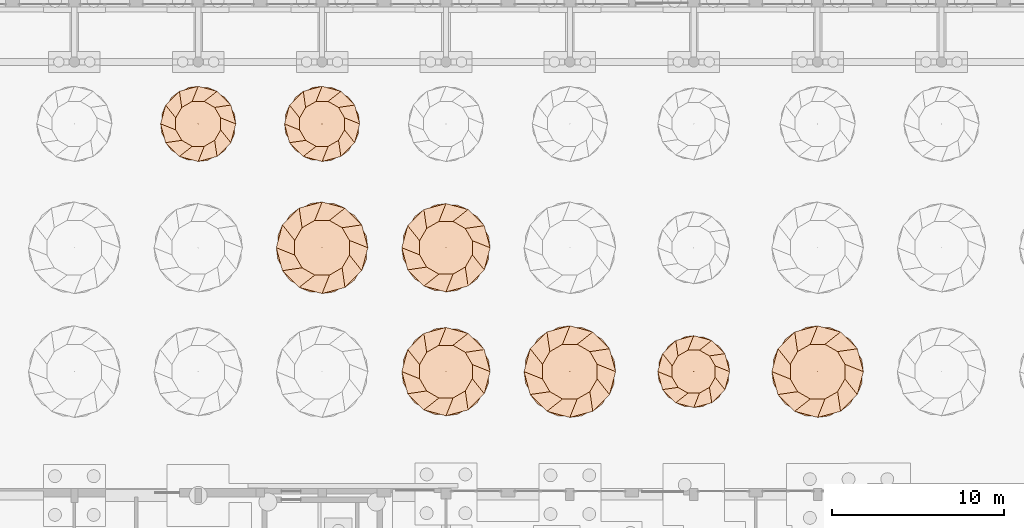
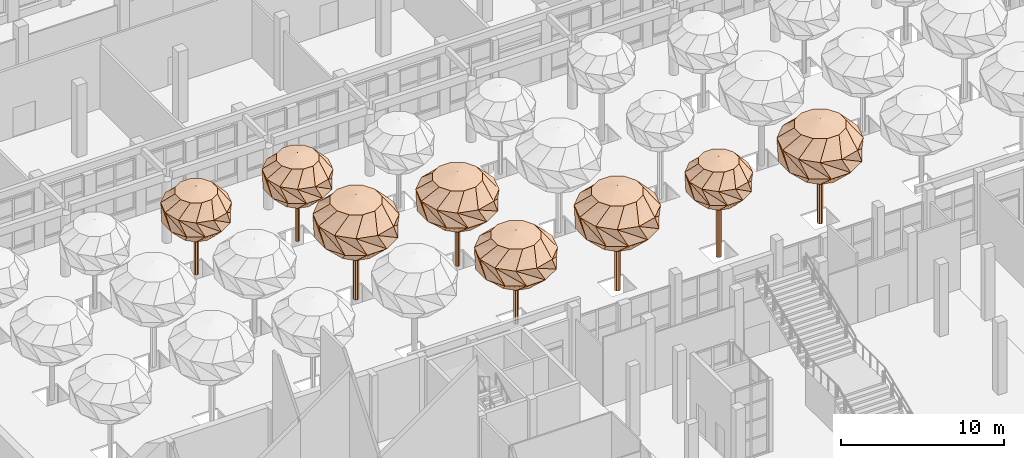
# One storey, part 77 of 80: 8 geographic elements.
"""IFC4 building model written with IfcOpenShell, lengths in metres."""

from ifc_helpers import new_model, si_unit, direction, frame, origin, place, context, subcontext, project, spatial, triangles, material, type_object, element, save


model = new_model("IFC4")

# Units and contexts
model_context = context("Model", 3, precision=1e-05, world=origin(), true_north=direction((0.0, 1.0)))
body_context = subcontext(model_context, "Body", "Model", "MODEL_VIEW")
ifc_project = project(units=[si_unit("LENGTHUNIT", "METRE"), si_unit("AREAUNIT", "SQUARE_METRE"), si_unit("VOLUMEUNIT", "CUBIC_METRE"), si_unit("PLANEANGLEUNIT", "RADIAN"), si_unit("MASSUNIT", "GRAM", prefix="KILO")], contexts=[model_context])

# Site, building, storey
site_placement = place(None, origin())
site = spatial("IfcSite", under=ifc_project, at=site_placement, CompositionType="ELEMENT")
building_placement = place(site_placement, origin())
building = spatial("IfcBuilding", under=site, at=building_placement, Name="Ussher Court Research Institute", CompositionType="ELEMENT")
storey_placement = place(building_placement, origin())
storey = spatial("IfcBuildingStorey", under=building, at=storey_placement, Name="L00", CompositionType="ELEMENT", Elevation=0.0)

# Geographic elements
ifc_material_1 = material(Name="Tree foliage and trunk")
geographic_element_type_1 = type_object("IfcGeographicElementType", Name="African mahogany 7.8 m", PredefinedType="USERDEFINED", material=ifc_material_1)
geographic_element_1_placement = place(storey_placement, frame((46.199951171875, 47.199951171875, -0.320068359375)))
element("IfcGeographicElement", 1, at=geographic_element_1_placement, inside=storey, type_object=geographic_element_type_1, Name="T18 African mahogany", ObjectType="TREE", PredefinedType="USERDEFINED", context=body_context, shape_type="Tessellation", body=[
    triangles([(0.1899, 0.0, 0.0), (0.1343, 0.1343, 0.0), (0.0, 0.1899, 0.0), (-0.1343, 0.1343, 0.0), (-0.1899, 0.0, 0.0), (-0.1343, -0.1343, 0.0), (0.0, -0.1899, 0.0), (0.1343, -0.1343, 0.0), (0.1899, 0.0, 4.8601), (0.1343, 0.1343, 4.8601), (0.0, 0.1899, 4.8601), (-0.1343, 0.1343, 4.8601), (-0.1899, 0.0, 4.8601), (-0.1343, -0.1343, 4.8601), (0.0, -0.1899, 4.8601), (0.1343, -0.1343, 4.8601), (0.0, 0.0, 7.8), (1.5897, 0.426, 7.399), (1.1638, 1.1638, 7.399), (0.426, 1.5897, 7.399), (-0.426, 1.5897, 7.399), (-1.1638, 1.1638, 7.399), (-1.5897, 0.426, 7.399), (-1.5897, -0.426, 7.399), (-1.1638, -1.1638, 7.399), (-0.426, -1.5897, 7.399), (0.426, -1.5897, 7.399), (1.1638, -1.1638, 7.399), (1.5897, -0.426, 7.399), (2.663, 0.0, 6.349), (2.3062, 1.3315, 6.349), (1.3315, 2.3062, 6.349), (0.0, 2.663, 6.349), (-1.3315, 2.3062, 6.349), (-2.3062, 1.3315, 6.349), (-2.663, 0.0, 6.349), (-2.3062, -1.3315, 6.349), (-1.3315, -2.3062, 6.349), (0.0, -2.663, 6.349), (1.3315, -2.3062, 6.349), (2.3062, -1.3315, 6.349), (2.5723, 0.6892, 5.0511), (1.883, 1.883, 5.0511), (0.6892, 2.5723, 5.0511), (-0.6892, 2.5723, 5.0511), (-1.883, 1.883, 5.0511), (-2.5723, 0.6892, 5.0511), (-2.5723, -0.6892, 5.0511), (-1.883, -1.883, 5.0511), (-0.6892, -2.5723, 5.0511), (0.6892, -2.5723, 5.0511), (1.883, -1.883, 5.0511), (2.5723, -0.6892, 5.0511), (1.6458, 0.0, 4.0012), (1.4253, 0.8229, 4.0012), (0.8229, 1.4253, 4.0012), (0.0, 1.6458, 4.0012), (-0.8229, 1.4253, 4.0012), (-1.4253, 0.8229, 4.0012), (-1.6458, 0.0, 4.0012), (-1.4253, -0.8229, 4.0012), (-0.8229, -1.4253, 4.0012), (0.0, -1.6458, 4.0012), (0.8229, -1.4253, 4.0012), (1.4253, -0.8229, 4.0012), (0.0, 0.0, 3.6001)], [[1, 2, 9], [2, 10, 9], [2, 3, 10], [3, 11, 10], [3, 4, 11], [4, 12, 11], [4, 5, 12], [5, 13, 12], [5, 6, 13], [6, 14, 13], [6, 7, 14], [7, 15, 14], [7, 8, 15], [8, 16, 15], [8, 1, 16], [1, 9, 16], [1, 3, 2], [9, 10, 11], [1, 4, 3], [9, 11, 12], [1, 5, 4], [9, 12, 13], [1, 6, 5], [9, 13, 14], [1, 7, 6], [9, 14, 15], [1, 8, 7], [9, 15, 16], [17, 18, 19], [17, 19, 20], [17, 20, 21], [17, 21, 22], [17, 22, 23], [17, 23, 24], [17, 24, 25], [17, 25, 26], [17, 26, 27], [17, 27, 28], [17, 28, 29], [17, 29, 18], [18, 30, 19], [19, 30, 31], [19, 31, 20], [20, 31, 32], [20, 32, 21], [21, 32, 33], [21, 33, 22], [22, 33, 34], [22, 34, 23], [23, 34, 35], [23, 35, 24], [24, 35, 36], [24, 36, 25], [25, 36, 37], [25, 37, 26], [26, 37, 38], [26, 38, 27], [27, 38, 39], [27, 39, 28], [28, 39, 40], [28, 40, 29], [29, 40, 41], [29, 41, 18], [18, 41, 30], [30, 43, 31], [30, 42, 43], [31, 44, 32], [31, 43, 44], [32, 45, 33], [32, 44, 45], [33, 46, 34], [33, 45, 46], [34, 47, 35], [34, 46, 47], [35, 48, 36], [35, 47, 48], [36, 49, 37], [36, 48, 49], [37, 50, 38], [37, 49, 50], [38, 51, 39], [38, 50, 51], [39, 52, 40], [39, 51, 52], [40, 53, 41], [40, 52, 53], [41, 42, 30], [41, 53, 42], [42, 54, 43], [43, 54, 55], [43, 55, 44], [44, 55, 56], [44, 56, 45], [45, 56, 57], [45, 57, 46], [46, 57, 58], [46, 58, 47], [47, 58, 59], [47, 59, 48], [48, 59, 60], [48, 60, 49], [49, 60, 61], [49, 61, 50], [50, 61, 62], [50, 62, 51], [51, 62, 63], [51, 63, 52], [52, 63, 64], [52, 64, 53], [53, 64, 65], [53, 65, 42], [42, 65, 54], [66, 55, 54], [66, 56, 55], [66, 57, 56], [66, 58, 57], [66, 59, 58], [66, 60, 59], [66, 61, 60], [66, 62, 61], [66, 63, 62], [66, 64, 63], [66, 65, 64], [66, 54, 65]], closed=False),
])
geographic_element_2_placement = place(storey_placement, frame((60.60009765625, 47.199951171875, -0.320068359375)))
element("IfcGeographicElement", 2, at=geographic_element_2_placement, inside=storey, type_object=geographic_element_type_1, Name="T19 African mahogany", ObjectType="TREE", PredefinedType="USERDEFINED", context=body_context, shape_type="Tessellation", body=[
    triangles([(0.1899, 0.0, 0.0), (0.1343, 0.1343, 0.0), (0.0, 0.1899, 0.0), (-0.1343, 0.1343, 0.0), (-0.1899, 0.0, 0.0), (-0.1343, -0.1343, 0.0), (0.0, -0.1899, 0.0), (0.1343, -0.1343, 0.0), (0.1899, 0.0, 4.8601), (0.1343, 0.1343, 4.8601), (0.0, 0.1899, 4.8601), (-0.1343, 0.1343, 4.8601), (-0.1899, 0.0, 4.8601), (-0.1343, -0.1343, 4.8601), (0.0, -0.1899, 4.8601), (0.1343, -0.1343, 4.8601), (0.0, 0.0, 7.8), (1.5897, 0.426, 7.399), (1.1638, 1.1638, 7.399), (0.426, 1.5897, 7.399), (-0.426, 1.5897, 7.399), (-1.1638, 1.1638, 7.399), (-1.5897, 0.426, 7.399), (-1.5897, -0.426, 7.399), (-1.1638, -1.1638, 7.399), (-0.426, -1.5897, 7.399), (0.426, -1.5897, 7.399), (1.1638, -1.1638, 7.399), (1.5897, -0.426, 7.399), (2.663, 0.0, 6.349), (2.3062, 1.3315, 6.349), (1.3315, 2.3062, 6.349), (0.0, 2.663, 6.349), (-1.3315, 2.3062, 6.349), (-2.3062, 1.3315, 6.349), (-2.663, 0.0, 6.349), (-2.3062, -1.3315, 6.349), (-1.3315, -2.3062, 6.349), (0.0, -2.663, 6.349), (1.3315, -2.3062, 6.349), (2.3062, -1.3315, 6.349), (2.5723, 0.6892, 5.0511), (1.883, 1.883, 5.0511), (0.6892, 2.5723, 5.0511), (-0.6892, 2.5723, 5.0511), (-1.883, 1.883, 5.0511), (-2.5723, 0.6892, 5.0511), (-2.5723, -0.6892, 5.0511), (-1.883, -1.883, 5.0511), (-0.6892, -2.5723, 5.0511), (0.6892, -2.5723, 5.0511), (1.883, -1.883, 5.0511), (2.5723, -0.6892, 5.0511), (1.6458, 0.0, 4.0012), (1.4253, 0.8229, 4.0012), (0.8229, 1.4253, 4.0012), (0.0, 1.6458, 4.0012), (-0.8229, 1.4253, 4.0012), (-1.4253, 0.8229, 4.0012), (-1.6458, 0.0, 4.0012), (-1.4253, -0.8229, 4.0012), (-0.8229, -1.4253, 4.0012), (0.0, -1.6458, 4.0012), (0.8229, -1.4253, 4.0012), (1.4253, -0.8229, 4.0012), (0.0, 0.0, 3.6001)], [[1, 2, 9], [2, 10, 9], [2, 3, 10], [3, 11, 10], [3, 4, 11], [4, 12, 11], [4, 5, 12], [5, 13, 12], [5, 6, 13], [6, 14, 13], [6, 7, 14], [7, 15, 14], [7, 8, 15], [8, 16, 15], [8, 1, 16], [1, 9, 16], [1, 3, 2], [9, 10, 11], [1, 4, 3], [9, 11, 12], [1, 5, 4], [9, 12, 13], [1, 6, 5], [9, 13, 14], [1, 7, 6], [9, 14, 15], [1, 8, 7], [9, 15, 16], [17, 18, 19], [17, 19, 20], [17, 20, 21], [17, 21, 22], [17, 22, 23], [17, 23, 24], [17, 24, 25], [17, 25, 26], [17, 26, 27], [17, 27, 28], [17, 28, 29], [17, 29, 18], [18, 30, 19], [19, 30, 31], [19, 31, 20], [20, 31, 32], [20, 32, 21], [21, 32, 33], [21, 33, 22], [22, 33, 34], [22, 34, 23], [23, 34, 35], [23, 35, 24], [24, 35, 36], [24, 36, 25], [25, 36, 37], [25, 37, 26], [26, 37, 38], [26, 38, 27], [27, 38, 39], [27, 39, 28], [28, 39, 40], [28, 40, 29], [29, 40, 41], [29, 41, 18], [18, 41, 30], [30, 43, 31], [30, 42, 43], [31, 44, 32], [31, 43, 44], [32, 45, 33], [32, 44, 45], [33, 46, 34], [33, 45, 46], [34, 47, 35], [34, 46, 47], [35, 48, 36], [35, 47, 48], [36, 49, 37], [36, 48, 49], [37, 50, 38], [37, 49, 50], [38, 51, 39], [38, 50, 51], [39, 52, 40], [39, 51, 52], [40, 53, 41], [40, 52, 53], [41, 42, 30], [41, 53, 42], [42, 54, 43], [43, 54, 55], [43, 55, 44], [44, 55, 56], [44, 56, 45], [45, 56, 57], [45, 57, 46], [46, 57, 58], [46, 58, 47], [47, 58, 59], [47, 59, 48], [48, 59, 60], [48, 60, 49], [49, 60, 61], [49, 61, 50], [50, 61, 62], [50, 62, 51], [51, 62, 63], [51, 63, 52], [52, 63, 64], [52, 64, 53], [53, 64, 65], [53, 65, 42], [42, 65, 54], [66, 55, 54], [66, 56, 55], [66, 57, 56], [66, 58, 57], [66, 59, 58], [66, 60, 59], [66, 61, 60], [66, 62, 61], [66, 63, 62], [66, 64, 63], [66, 65, 64], [66, 54, 65]], closed=False),
])
geographic_element_3_placement = place(storey_placement, frame((31.800048828125, 54.39990234375, -0.320068359375)))
element("IfcGeographicElement", 3, at=geographic_element_3_placement, inside=storey, type_object=geographic_element_type_1, Name="T23 African mahogany", ObjectType="TREE", PredefinedType="USERDEFINED", context=body_context, shape_type="Tessellation", body=[
    triangles([(0.1899, 0.0, 0.0), (0.1343, 0.1343, 0.0), (0.0, 0.1899, 0.0), (-0.1343, 0.1343, 0.0), (-0.1899, 0.0, 0.0), (-0.1343, -0.1343, 0.0), (0.0, -0.1899, 0.0), (0.1343, -0.1343, 0.0), (0.1899, 0.0, 4.8601), (0.1343, 0.1343, 4.8601), (0.0, 0.1899, 4.8601), (-0.1343, 0.1343, 4.8601), (-0.1899, 0.0, 4.8601), (-0.1343, -0.1343, 4.8601), (0.0, -0.1899, 4.8601), (0.1343, -0.1343, 4.8601), (0.0, 0.0, 7.8), (1.5897, 0.426, 7.399), (1.1638, 1.1638, 7.399), (0.426, 1.5897, 7.399), (-0.426, 1.5897, 7.399), (-1.1638, 1.1638, 7.399), (-1.5897, 0.426, 7.399), (-1.5897, -0.426, 7.399), (-1.1638, -1.1638, 7.399), (-0.426, -1.5897, 7.399), (0.426, -1.5897, 7.399), (1.1638, -1.1638, 7.399), (1.5897, -0.426, 7.399), (2.663, 0.0, 6.349), (2.3062, 1.3315, 6.349), (1.3315, 2.3062, 6.349), (0.0, 2.663, 6.349), (-1.3315, 2.3062, 6.349), (-2.3062, 1.3315, 6.349), (-2.663, 0.0, 6.349), (-2.3062, -1.3315, 6.349), (-1.3315, -2.3062, 6.349), (0.0, -2.663, 6.349), (1.3315, -2.3062, 6.349), (2.3062, -1.3315, 6.349), (2.5723, 0.6892, 5.0511), (1.883, 1.883, 5.0511), (0.6892, 2.5723, 5.0511), (-0.6892, 2.5723, 5.0511), (-1.883, 1.883, 5.0511), (-2.5723, 0.6892, 5.0511), (-2.5723, -0.6892, 5.0511), (-1.883, -1.883, 5.0511), (-0.6892, -2.5723, 5.0511), (0.6892, -2.5723, 5.0511), (1.883, -1.883, 5.0511), (2.5723, -0.6892, 5.0511), (1.6458, 0.0, 4.0012), (1.4253, 0.8229, 4.0012), (0.8229, 1.4253, 4.0012), (0.0, 1.6458, 4.0012), (-0.8229, 1.4253, 4.0012), (-1.4253, 0.8229, 4.0012), (-1.6458, 0.0, 4.0012), (-1.4253, -0.8229, 4.0012), (-0.8229, -1.4253, 4.0012), (0.0, -1.6458, 4.0012), (0.8229, -1.4253, 4.0012), (1.4253, -0.8229, 4.0012), (0.0, 0.0, 3.6001)], [[1, 2, 9], [2, 10, 9], [2, 3, 10], [3, 11, 10], [3, 4, 11], [4, 12, 11], [4, 5, 12], [5, 13, 12], [5, 6, 13], [6, 14, 13], [6, 7, 14], [7, 15, 14], [7, 8, 15], [8, 16, 15], [8, 1, 16], [1, 9, 16], [1, 3, 2], [9, 10, 11], [1, 4, 3], [9, 11, 12], [1, 5, 4], [9, 12, 13], [1, 6, 5], [9, 13, 14], [1, 7, 6], [9, 14, 15], [1, 8, 7], [9, 15, 16], [17, 18, 19], [17, 19, 20], [17, 20, 21], [17, 21, 22], [17, 22, 23], [17, 23, 24], [17, 24, 25], [17, 25, 26], [17, 26, 27], [17, 27, 28], [17, 28, 29], [17, 29, 18], [18, 30, 19], [19, 30, 31], [19, 31, 20], [20, 31, 32], [20, 32, 21], [21, 32, 33], [21, 33, 22], [22, 33, 34], [22, 34, 23], [23, 34, 35], [23, 35, 24], [24, 35, 36], [24, 36, 25], [25, 36, 37], [25, 37, 26], [26, 37, 38], [26, 38, 27], [27, 38, 39], [27, 39, 28], [28, 39, 40], [28, 40, 29], [29, 40, 41], [29, 41, 18], [18, 41, 30], [30, 43, 31], [30, 42, 43], [31, 44, 32], [31, 43, 44], [32, 45, 33], [32, 44, 45], [33, 46, 34], [33, 45, 46], [34, 47, 35], [34, 46, 47], [35, 48, 36], [35, 47, 48], [36, 49, 37], [36, 48, 49], [37, 50, 38], [37, 49, 50], [38, 51, 39], [38, 50, 51], [39, 52, 40], [39, 51, 52], [40, 53, 41], [40, 52, 53], [41, 42, 30], [41, 53, 42], [42, 54, 43], [43, 54, 55], [43, 55, 44], [44, 55, 56], [44, 56, 45], [45, 56, 57], [45, 57, 46], [46, 57, 58], [46, 58, 47], [47, 58, 59], [47, 59, 48], [48, 59, 60], [48, 60, 49], [49, 60, 61], [49, 61, 50], [50, 61, 62], [50, 62, 51], [51, 62, 63], [51, 63, 52], [52, 63, 64], [52, 64, 53], [53, 64, 65], [53, 65, 42], [42, 65, 54], [66, 55, 54], [66, 56, 55], [66, 57, 56], [66, 58, 57], [66, 59, 58], [66, 60, 59], [66, 61, 60], [66, 62, 61], [66, 63, 62], [66, 64, 63], [66, 65, 64], [66, 54, 65]], closed=False),
])
ifc_material_2 = material(Name="Tree foliage and trunk")
geographic_element_type_2 = type_object("IfcGeographicElementType", Name="Golden shower tree 6.6 m", PredefinedType="USERDEFINED", material=ifc_material_2)
geographic_element_4_placement = place(storey_placement, frame((24.60009765625, 61.60009765625, -0.320068359375)))
element("IfcGeographicElement", 4, at=geographic_element_4_placement, inside=storey, type_object=geographic_element_type_2, Name="T31 Golden shower tree", ObjectType="TREE", PredefinedType="USERDEFINED", context=body_context, shape_type="Tessellation", body=[
    triangles([(0.14, 0.0, 0.0), (0.099, 0.099, 0.0), (0.0, 0.14, 0.0), (-0.099, 0.099, 0.0), (-0.14, 0.0, 0.0), (-0.099, -0.099, 0.0), (0.0, -0.14, 0.0), (0.099, -0.099, 0.0), (0.14, 0.0, 4.08), (0.099, 0.099, 4.08), (0.0, 0.14, 4.08), (-0.099, 0.099, 4.08), (-0.14, 0.0, 4.08), (-0.099, -0.099, 4.08), (0.0, -0.14, 4.08), (0.099, -0.099, 4.08), (0.0, 0.0, 6.6001), (1.3059, 0.3499, 6.2563), (0.956, 0.956, 6.2563), (0.3499, 1.3059, 6.2563), (-0.3499, 1.3059, 6.2563), (-0.956, 0.956, 6.2563), (-1.3059, 0.3499, 6.2563), (-1.3059, -0.3499, 6.2563), (-0.956, -0.956, 6.2563), (-0.3499, -1.3059, 6.2563), (0.3499, -1.3059, 6.2563), (0.956, -0.956, 6.2563), (1.3059, -0.3499, 6.2563), (2.1875, 0.0, 5.3563), (1.8944, 1.0937, 5.3563), (1.0937, 1.8944, 5.3563), (0.0, 2.1875, 5.3563), (-1.0937, 1.8944, 5.3563), (-1.8944, 1.0937, 5.3563), (-2.1875, 0.0, 5.3563), (-1.8944, -1.0937, 5.3563), (-1.0937, -1.8944, 5.3563), (0.0, -2.1875, 5.3563), (1.0937, -1.8944, 5.3563), (1.8944, -1.0937, 5.3563), (2.1129, 0.5662, 4.2438), (1.5468, 1.5468, 4.2438), (0.5662, 2.1129, 4.2438), (-0.5662, 2.1129, 4.2438), (-1.5468, 1.5468, 4.2438), (-2.1129, 0.5662, 4.2438), (-2.1129, -0.5662, 4.2438), (-1.5468, -1.5468, 4.2438), (-0.5662, -2.1129, 4.2438), (0.5662, -2.1129, 4.2438), (1.5468, -1.5468, 4.2438), (2.1129, -0.5662, 4.2438), (1.3519, 0.0, 3.3438), (1.1708, 0.676, 3.3438), (0.676, 1.1708, 3.3438), (0.0, 1.3519, 3.3438), (-0.676, 1.1708, 3.3438), (-1.1708, 0.676, 3.3438), (-1.3519, 0.0, 3.3438), (-1.1708, -0.676, 3.3438), (-0.676, -1.1708, 3.3438), (0.0, -1.3519, 3.3438), (0.676, -1.1708, 3.3438), (1.1708, -0.676, 3.3438), (0.0, 0.0, 3.0)], [[1, 2, 9], [2, 10, 9], [2, 3, 10], [3, 11, 10], [3, 4, 11], [4, 12, 11], [4, 5, 12], [5, 13, 12], [5, 6, 13], [6, 14, 13], [6, 7, 14], [7, 15, 14], [7, 8, 15], [8, 16, 15], [8, 1, 16], [1, 9, 16], [1, 3, 2], [9, 10, 11], [1, 4, 3], [9, 11, 12], [1, 5, 4], [9, 12, 13], [1, 6, 5], [9, 13, 14], [1, 7, 6], [9, 14, 15], [1, 8, 7], [9, 15, 16], [17, 18, 19], [17, 19, 20], [17, 20, 21], [17, 21, 22], [17, 22, 23], [17, 23, 24], [17, 24, 25], [17, 25, 26], [17, 26, 27], [17, 27, 28], [17, 28, 29], [17, 29, 18], [18, 30, 19], [19, 30, 31], [19, 31, 20], [20, 31, 32], [20, 32, 21], [21, 32, 33], [21, 33, 22], [22, 33, 34], [22, 34, 23], [23, 34, 35], [23, 35, 24], [24, 35, 36], [24, 36, 25], [25, 36, 37], [25, 37, 26], [26, 37, 38], [26, 38, 27], [27, 38, 39], [27, 39, 28], [28, 39, 40], [28, 40, 29], [29, 40, 41], [29, 41, 18], [18, 41, 30], [30, 43, 31], [30, 42, 43], [31, 44, 32], [31, 43, 44], [32, 45, 33], [32, 44, 45], [33, 46, 34], [33, 45, 46], [34, 47, 35], [34, 46, 47], [35, 48, 36], [35, 47, 48], [36, 49, 37], [36, 48, 49], [37, 50, 38], [37, 49, 50], [38, 51, 39], [38, 50, 51], [39, 52, 40], [39, 51, 52], [40, 53, 41], [40, 52, 53], [41, 42, 30], [41, 53, 42], [42, 54, 43], [43, 54, 55], [43, 55, 44], [44, 55, 56], [44, 56, 45], [45, 56, 57], [45, 57, 46], [46, 57, 58], [46, 58, 47], [47, 58, 59], [47, 59, 48], [48, 59, 60], [48, 60, 49], [49, 60, 61], [49, 61, 50], [50, 61, 62], [50, 62, 51], [51, 62, 63], [51, 63, 52], [52, 63, 64], [52, 64, 53], [53, 64, 65], [53, 65, 42], [42, 65, 54], [66, 55, 54], [66, 56, 55], [66, 57, 56], [66, 58, 57], [66, 59, 58], [66, 60, 59], [66, 61, 60], [66, 62, 61], [66, 63, 62], [66, 64, 63], [66, 65, 64], [66, 54, 65]], closed=False),
])
geographic_element_5_placement = place(storey_placement, frame((31.800048828125, 61.60009765625, -0.320068359375)))
element("IfcGeographicElement", 5, at=geographic_element_5_placement, inside=storey, type_object=geographic_element_type_2, Name="T32 Golden shower tree", ObjectType="TREE", PredefinedType="USERDEFINED", context=body_context, shape_type="Tessellation", body=[
    triangles([(0.14, 0.0, 0.0), (0.099, 0.099, 0.0), (0.0, 0.14, 0.0), (-0.099, 0.099, 0.0), (-0.14, 0.0, 0.0), (-0.099, -0.099, 0.0), (0.0, -0.14, 0.0), (0.099, -0.099, 0.0), (0.14, 0.0, 4.08), (0.099, 0.099, 4.08), (0.0, 0.14, 4.08), (-0.099, 0.099, 4.08), (-0.14, 0.0, 4.08), (-0.099, -0.099, 4.08), (0.0, -0.14, 4.08), (0.099, -0.099, 4.08), (0.0, 0.0, 6.6001), (1.3059, 0.3499, 6.2563), (0.956, 0.956, 6.2563), (0.3499, 1.3059, 6.2563), (-0.3499, 1.3059, 6.2563), (-0.956, 0.956, 6.2563), (-1.3059, 0.3499, 6.2563), (-1.3059, -0.3499, 6.2563), (-0.956, -0.956, 6.2563), (-0.3499, -1.3059, 6.2563), (0.3499, -1.3059, 6.2563), (0.956, -0.956, 6.2563), (1.3059, -0.3499, 6.2563), (2.1875, 0.0, 5.3563), (1.8944, 1.0937, 5.3563), (1.0937, 1.8944, 5.3563), (0.0, 2.1875, 5.3563), (-1.0937, 1.8944, 5.3563), (-1.8944, 1.0937, 5.3563), (-2.1875, 0.0, 5.3563), (-1.8944, -1.0937, 5.3563), (-1.0937, -1.8944, 5.3563), (0.0, -2.1875, 5.3563), (1.0937, -1.8944, 5.3563), (1.8944, -1.0937, 5.3563), (2.1129, 0.5662, 4.2438), (1.5468, 1.5468, 4.2438), (0.5662, 2.1129, 4.2438), (-0.5662, 2.1129, 4.2438), (-1.5468, 1.5468, 4.2438), (-2.1129, 0.5662, 4.2438), (-2.1129, -0.5662, 4.2438), (-1.5468, -1.5468, 4.2438), (-0.5662, -2.1129, 4.2438), (0.5662, -2.1129, 4.2438), (1.5468, -1.5468, 4.2438), (2.1129, -0.5662, 4.2438), (1.3519, 0.0, 3.3438), (1.1708, 0.676, 3.3438), (0.676, 1.1708, 3.3438), (0.0, 1.3519, 3.3438), (-0.676, 1.1708, 3.3438), (-1.1708, 0.676, 3.3438), (-1.3519, 0.0, 3.3438), (-1.1708, -0.676, 3.3438), (-0.676, -1.1708, 3.3438), (0.0, -1.3519, 3.3438), (0.676, -1.1708, 3.3438), (1.1708, -0.676, 3.3438), (0.0, 0.0, 3.0)], [[1, 2, 9], [2, 10, 9], [2, 3, 10], [3, 11, 10], [3, 4, 11], [4, 12, 11], [4, 5, 12], [5, 13, 12], [5, 6, 13], [6, 14, 13], [6, 7, 14], [7, 15, 14], [7, 8, 15], [8, 16, 15], [8, 1, 16], [1, 9, 16], [1, 3, 2], [9, 10, 11], [1, 4, 3], [9, 11, 12], [1, 5, 4], [9, 12, 13], [1, 6, 5], [9, 13, 14], [1, 7, 6], [9, 14, 15], [1, 8, 7], [9, 15, 16], [17, 18, 19], [17, 19, 20], [17, 20, 21], [17, 21, 22], [17, 22, 23], [17, 23, 24], [17, 24, 25], [17, 25, 26], [17, 26, 27], [17, 27, 28], [17, 28, 29], [17, 29, 18], [18, 30, 19], [19, 30, 31], [19, 31, 20], [20, 31, 32], [20, 32, 21], [21, 32, 33], [21, 33, 22], [22, 33, 34], [22, 34, 23], [23, 34, 35], [23, 35, 24], [24, 35, 36], [24, 36, 25], [25, 36, 37], [25, 37, 26], [26, 37, 38], [26, 38, 27], [27, 38, 39], [27, 39, 28], [28, 39, 40], [28, 40, 29], [29, 40, 41], [29, 41, 18], [18, 41, 30], [30, 43, 31], [30, 42, 43], [31, 44, 32], [31, 43, 44], [32, 45, 33], [32, 44, 45], [33, 46, 34], [33, 45, 46], [34, 47, 35], [34, 46, 47], [35, 48, 36], [35, 47, 48], [36, 49, 37], [36, 48, 49], [37, 50, 38], [37, 49, 50], [38, 51, 39], [38, 50, 51], [39, 52, 40], [39, 51, 52], [40, 53, 41], [40, 52, 53], [41, 42, 30], [41, 53, 42], [42, 54, 43], [43, 54, 55], [43, 55, 44], [44, 55, 56], [44, 56, 45], [45, 56, 57], [45, 57, 46], [46, 57, 58], [46, 58, 47], [47, 58, 59], [47, 59, 48], [48, 59, 60], [48, 60, 49], [49, 60, 61], [49, 61, 50], [50, 61, 62], [50, 62, 51], [51, 62, 63], [51, 63, 52], [52, 63, 64], [52, 64, 53], [53, 64, 65], [53, 65, 42], [42, 65, 54], [66, 55, 54], [66, 56, 55], [66, 57, 56], [66, 58, 57], [66, 59, 58], [66, 60, 59], [66, 61, 60], [66, 62, 61], [66, 63, 62], [66, 64, 63], [66, 65, 64], [66, 54, 65]], closed=False),
])
ifc_material_3 = material(Name="Tree foliage and trunk")
geographic_element_type_3 = type_object("IfcGeographicElementType", Name="Indian almond 7.0 m", PredefinedType="USERDEFINED", material=ifc_material_3)
geographic_element_6_placement = place(storey_placement, frame((39.0, 47.199951171875, -0.320068359375)))
element("IfcGeographicElement", 6, at=geographic_element_6_placement, inside=storey, type_object=geographic_element_type_3, Name="T06 Indian almond", ObjectType="TREE", PredefinedType="USERDEFINED", context=body_context, shape_type="Tessellation", body=[
    triangles([(0.16, 0.0, 0.0), (0.1132, 0.1132, 0.0), (0.0, 0.16, 0.0), (-0.1132, 0.1132, 0.0), (-0.16, 0.0, 0.0), (-0.1132, -0.1132, 0.0), (0.0, -0.16, 0.0), (0.1132, -0.1132, 0.0), (0.16, 0.0, 4.34), (0.1132, 0.1132, 4.34), (0.0, 0.16, 4.34), (-0.1132, 0.1132, 4.34), (-0.16, 0.0, 4.34), (-0.1132, -0.1132, 4.34), (0.0, -0.16, 4.34), (0.1132, -0.1132, 4.34), (0.0, 0.0, 7.0), (1.5329, 0.4107, 6.6371), (1.1222, 1.1222, 6.6371), (0.4107, 1.5329, 6.6371), (-0.4107, 1.5329, 6.6371), (-1.1222, 1.1222, 6.6371), (-1.5329, 0.4107, 6.6371), (-1.5329, -0.4107, 6.6371), (-1.1222, -1.1222, 6.6371), (-0.4107, -1.5329, 6.6371), (0.4107, -1.5329, 6.6371), (1.1222, -1.1222, 6.6371), (1.5329, -0.4107, 6.6371), (2.5678, 0.0, 5.6871), (2.2238, 1.2839, 5.6871), (1.2839, 2.2238, 5.6871), (0.0, 2.5678, 5.6871), (-1.2839, 2.2238, 5.6871), (-2.2238, 1.2839, 5.6871), (-2.5678, 0.0, 5.6871), (-2.2238, -1.2839, 5.6871), (-1.2839, -2.2238, 5.6871), (0.0, -2.5678, 5.6871), (1.2839, -2.2238, 5.6871), (2.2238, -1.2839, 5.6871), (2.4803, 0.6646, 4.5128), (1.8157, 1.8157, 4.5128), (0.6646, 2.4803, 4.5128), (-0.6646, 2.4803, 4.5128), (-1.8157, 1.8157, 4.5128), (-2.4803, 0.6646, 4.5128), (-2.4803, -0.6646, 4.5128), (-1.8157, -1.8157, 4.5128), (-0.6646, -2.4803, 4.5128), (0.6646, -2.4803, 4.5128), (1.8157, -1.8157, 4.5128), (2.4803, -0.6646, 4.5128), (1.587, 0.0, 3.5628), (1.3744, 0.7935, 3.5628), (0.7935, 1.3744, 3.5628), (0.0, 1.587, 3.5628), (-0.7935, 1.3744, 3.5628), (-1.3744, 0.7935, 3.5628), (-1.587, 0.0, 3.5628), (-1.3744, -0.7935, 3.5628), (-0.7935, -1.3744, 3.5628), (0.0, -1.587, 3.5628), (0.7935, -1.3744, 3.5628), (1.3744, -0.7935, 3.5628), (0.0, 0.0, 3.2)], [[1, 2, 9], [2, 10, 9], [2, 3, 10], [3, 11, 10], [3, 4, 11], [4, 12, 11], [4, 5, 12], [5, 13, 12], [5, 6, 13], [6, 14, 13], [6, 7, 14], [7, 15, 14], [7, 8, 15], [8, 16, 15], [8, 1, 16], [1, 9, 16], [1, 3, 2], [9, 10, 11], [1, 4, 3], [9, 11, 12], [1, 5, 4], [9, 12, 13], [1, 6, 5], [9, 13, 14], [1, 7, 6], [9, 14, 15], [1, 8, 7], [9, 15, 16], [17, 18, 19], [17, 19, 20], [17, 20, 21], [17, 21, 22], [17, 22, 23], [17, 23, 24], [17, 24, 25], [17, 25, 26], [17, 26, 27], [17, 27, 28], [17, 28, 29], [17, 29, 18], [18, 30, 19], [19, 30, 31], [19, 31, 20], [20, 31, 32], [20, 32, 21], [21, 32, 33], [21, 33, 22], [22, 33, 34], [22, 34, 23], [23, 34, 35], [23, 35, 24], [24, 35, 36], [24, 36, 25], [25, 36, 37], [25, 37, 26], [26, 37, 38], [26, 38, 27], [27, 38, 39], [27, 39, 28], [28, 39, 40], [28, 40, 29], [29, 40, 41], [29, 41, 18], [18, 41, 30], [30, 43, 31], [30, 42, 43], [31, 44, 32], [31, 43, 44], [32, 45, 33], [32, 44, 45], [33, 46, 34], [33, 45, 46], [34, 47, 35], [34, 46, 47], [35, 48, 36], [35, 47, 48], [36, 49, 37], [36, 48, 49], [37, 50, 38], [37, 49, 50], [38, 51, 39], [38, 50, 51], [39, 52, 40], [39, 51, 52], [40, 53, 41], [40, 52, 53], [41, 42, 30], [41, 53, 42], [42, 54, 43], [43, 54, 55], [43, 55, 44], [44, 55, 56], [44, 56, 45], [45, 56, 57], [45, 57, 46], [46, 57, 58], [46, 58, 47], [47, 58, 59], [47, 59, 48], [48, 59, 60], [48, 60, 49], [49, 60, 61], [49, 61, 50], [50, 61, 62], [50, 62, 51], [51, 62, 63], [51, 63, 52], [52, 63, 64], [52, 64, 53], [53, 64, 65], [53, 65, 42], [42, 65, 54], [66, 55, 54], [66, 56, 55], [66, 57, 56], [66, 58, 57], [66, 59, 58], [66, 60, 59], [66, 61, 60], [66, 62, 61], [66, 63, 62], [66, 64, 63], [66, 65, 64], [66, 54, 65]], closed=False),
])
geographic_element_7_placement = place(storey_placement, frame((39.0, 54.39990234375, -0.320068359375)))
element("IfcGeographicElement", 7, at=geographic_element_7_placement, inside=storey, type_object=geographic_element_type_3, Name="T11 Indian almond", ObjectType="TREE", PredefinedType="USERDEFINED", context=body_context, shape_type="Tessellation", body=[
    triangles([(0.16, 0.0, 0.0), (0.1132, 0.1132, 0.0), (0.0, 0.16, 0.0), (-0.1132, 0.1132, 0.0), (-0.16, 0.0, 0.0), (-0.1132, -0.1132, 0.0), (0.0, -0.16, 0.0), (0.1132, -0.1132, 0.0), (0.16, 0.0, 4.34), (0.1132, 0.1132, 4.34), (0.0, 0.16, 4.34), (-0.1132, 0.1132, 4.34), (-0.16, 0.0, 4.34), (-0.1132, -0.1132, 4.34), (0.0, -0.16, 4.34), (0.1132, -0.1132, 4.34), (0.0, 0.0, 7.0), (1.5329, 0.4107, 6.6371), (1.1222, 1.1222, 6.6371), (0.4107, 1.5329, 6.6371), (-0.4107, 1.5329, 6.6371), (-1.1222, 1.1222, 6.6371), (-1.5329, 0.4107, 6.6371), (-1.5329, -0.4107, 6.6371), (-1.1222, -1.1222, 6.6371), (-0.4107, -1.5329, 6.6371), (0.4107, -1.5329, 6.6371), (1.1222, -1.1222, 6.6371), (1.5329, -0.4107, 6.6371), (2.5678, 0.0, 5.6871), (2.2238, 1.2839, 5.6871), (1.2839, 2.2238, 5.6871), (0.0, 2.5678, 5.6871), (-1.2839, 2.2238, 5.6871), (-2.2238, 1.2839, 5.6871), (-2.5678, 0.0, 5.6871), (-2.2238, -1.2839, 5.6871), (-1.2839, -2.2238, 5.6871), (0.0, -2.5678, 5.6871), (1.2839, -2.2238, 5.6871), (2.2238, -1.2839, 5.6871), (2.4803, 0.6646, 4.5128), (1.8157, 1.8157, 4.5128), (0.6646, 2.4803, 4.5128), (-0.6646, 2.4803, 4.5128), (-1.8157, 1.8157, 4.5128), (-2.4803, 0.6646, 4.5128), (-2.4803, -0.6646, 4.5128), (-1.8157, -1.8157, 4.5128), (-0.6646, -2.4803, 4.5128), (0.6646, -2.4803, 4.5128), (1.8157, -1.8157, 4.5128), (2.4803, -0.6646, 4.5128), (1.587, 0.0, 3.5628), (1.3744, 0.7935, 3.5628), (0.7935, 1.3744, 3.5628), (0.0, 1.587, 3.5628), (-0.7935, 1.3744, 3.5628), (-1.3744, 0.7935, 3.5628), (-1.587, 0.0, 3.5628), (-1.3744, -0.7935, 3.5628), (-0.7935, -1.3744, 3.5628), (0.0, -1.587, 3.5628), (0.7935, -1.3744, 3.5628), (1.3744, -0.7935, 3.5628), (0.0, 0.0, 3.2)], [[1, 2, 9], [2, 10, 9], [2, 3, 10], [3, 11, 10], [3, 4, 11], [4, 12, 11], [4, 5, 12], [5, 13, 12], [5, 6, 13], [6, 14, 13], [6, 7, 14], [7, 15, 14], [7, 8, 15], [8, 16, 15], [8, 1, 16], [1, 9, 16], [1, 3, 2], [9, 10, 11], [1, 4, 3], [9, 11, 12], [1, 5, 4], [9, 12, 13], [1, 6, 5], [9, 13, 14], [1, 7, 6], [9, 14, 15], [1, 8, 7], [9, 15, 16], [17, 18, 19], [17, 19, 20], [17, 20, 21], [17, 21, 22], [17, 22, 23], [17, 23, 24], [17, 24, 25], [17, 25, 26], [17, 26, 27], [17, 27, 28], [17, 28, 29], [17, 29, 18], [18, 30, 19], [19, 30, 31], [19, 31, 20], [20, 31, 32], [20, 32, 21], [21, 32, 33], [21, 33, 22], [22, 33, 34], [22, 34, 23], [23, 34, 35], [23, 35, 24], [24, 35, 36], [24, 36, 25], [25, 36, 37], [25, 37, 26], [26, 37, 38], [26, 38, 27], [27, 38, 39], [27, 39, 28], [28, 39, 40], [28, 40, 29], [29, 40, 41], [29, 41, 18], [18, 41, 30], [30, 43, 31], [30, 42, 43], [31, 44, 32], [31, 43, 44], [32, 45, 33], [32, 44, 45], [33, 46, 34], [33, 45, 46], [34, 47, 35], [34, 46, 47], [35, 48, 36], [35, 47, 48], [36, 49, 37], [36, 48, 49], [37, 50, 38], [37, 49, 50], [38, 51, 39], [38, 50, 51], [39, 52, 40], [39, 51, 52], [40, 53, 41], [40, 52, 53], [41, 42, 30], [41, 53, 42], [42, 54, 43], [43, 54, 55], [43, 55, 44], [44, 55, 56], [44, 56, 45], [45, 56, 57], [45, 57, 46], [46, 57, 58], [46, 58, 47], [47, 58, 59], [47, 59, 48], [48, 59, 60], [48, 60, 49], [49, 60, 61], [49, 61, 50], [50, 61, 62], [50, 62, 51], [51, 62, 63], [51, 63, 52], [52, 63, 64], [52, 64, 53], [53, 64, 65], [53, 65, 42], [42, 65, 54], [66, 55, 54], [66, 56, 55], [66, 57, 56], [66, 58, 57], [66, 59, 58], [66, 60, 59], [66, 61, 60], [66, 62, 61], [66, 63, 62], [66, 64, 63], [66, 65, 64], [66, 54, 65]], closed=False),
])
ifc_material_4 = material(Name="Tree foliage and trunk")
geographic_element_type_4 = type_object("IfcGeographicElementType", Name="Royal palm 7.5 m", PredefinedType="USERDEFINED", material=ifc_material_4)
geographic_element_8_placement = place(storey_placement, frame((53.39990234375, 47.199951171875, -0.320068359375)))
element("IfcGeographicElement", 8, at=geographic_element_8_placement, inside=storey, type_object=geographic_element_type_4, Name="T01 Royal palm", ObjectType="TREE", PredefinedType="USERDEFINED", context=body_context, shape_type="Tessellation", body=[
    triangles([(0.1801, 0.0, 0.0), (0.1273, 0.1273, 0.0), (0.0, 0.1801, 0.0), (-0.1273, 0.1273, 0.0), (-0.1801, 0.0, 0.0), (-0.1273, -0.1273, 0.0), (0.0, -0.1801, 0.0), (0.1273, -0.1273, 0.0), (0.1801, 0.0, 5.05), (0.1273, 0.1273, 5.05), (0.0, 0.1801, 5.05), (-0.1273, 0.1273, 5.05), (-0.1801, 0.0, 5.05), (-0.1273, -0.1273, 5.05), (0.0, -0.1801, 5.05), (0.1273, -0.1273, 5.05), (0.0, 0.0, 7.5), (1.249, 0.3347, 7.1658), (0.9144, 0.9144, 7.1658), (0.3347, 1.249, 7.1658), (-0.3347, 1.249, 7.1658), (-0.9144, 0.9144, 7.1658), (-1.249, 0.3347, 7.1658), (-1.249, -0.3347, 7.1658), (-0.9144, -0.9144, 7.1658), (-0.3347, -1.249, 7.1658), (0.3347, -1.249, 7.1658), (0.9144, -0.9144, 7.1658), (1.249, -0.3347, 7.1658), (2.0923, 0.0, 6.2908), (1.812, 1.0461, 6.2908), (1.0461, 1.812, 6.2908), (0.0, 2.0923, 6.2908), (-1.0461, 1.812, 6.2908), (-1.812, 1.0461, 6.2908), (-2.0923, 0.0, 6.2908), (-1.812, -1.0461, 6.2908), (-1.0461, -1.812, 6.2908), (0.0, -2.0923, 6.2908), (1.0461, -1.812, 6.2908), (1.812, -1.0461, 6.2908), (2.021, 0.5415, 5.2092), (1.4795, 1.4795, 5.2092), (0.5415, 2.021, 5.2092), (-0.5415, 2.021, 5.2092), (-1.4795, 1.4795, 5.2092), (-2.021, 0.5415, 5.2092), (-2.021, -0.5415, 5.2092), (-1.4795, -1.4795, 5.2092), (-0.5415, -2.021, 5.2092), (0.5415, -2.021, 5.2092), (1.4795, -1.4795, 5.2092), (2.021, -0.5415, 5.2092), (1.2931, 0.0, 4.3342), (1.1199, 0.6465, 4.3342), (0.6465, 1.1199, 4.3342), (0.0, 1.2931, 4.3342), (-0.6465, 1.1199, 4.3342), (-1.1199, 0.6465, 4.3342), (-1.2931, 0.0, 4.3342), (-1.1199, -0.6465, 4.3342), (-0.6465, -1.1199, 4.3342), (0.0, -1.2931, 4.3342), (0.6465, -1.1199, 4.3342), (1.1199, -0.6465, 4.3342), (0.0, 0.0, 4.0)], [[1, 2, 9], [2, 10, 9], [2, 3, 10], [3, 11, 10], [3, 4, 11], [4, 12, 11], [4, 5, 12], [5, 13, 12], [5, 6, 13], [6, 14, 13], [6, 7, 14], [7, 15, 14], [7, 8, 15], [8, 16, 15], [8, 1, 16], [1, 9, 16], [1, 3, 2], [9, 10, 11], [1, 4, 3], [9, 11, 12], [1, 5, 4], [9, 12, 13], [1, 6, 5], [9, 13, 14], [1, 7, 6], [9, 14, 15], [1, 8, 7], [9, 15, 16], [17, 18, 19], [17, 19, 20], [17, 20, 21], [17, 21, 22], [17, 22, 23], [17, 23, 24], [17, 24, 25], [17, 25, 26], [17, 26, 27], [17, 27, 28], [17, 28, 29], [17, 29, 18], [18, 30, 19], [19, 30, 31], [19, 31, 20], [20, 31, 32], [20, 32, 21], [21, 32, 33], [21, 33, 22], [22, 33, 34], [22, 34, 23], [23, 34, 35], [23, 35, 24], [24, 35, 36], [24, 36, 25], [25, 36, 37], [25, 37, 26], [26, 37, 38], [26, 38, 27], [27, 38, 39], [27, 39, 28], [28, 39, 40], [28, 40, 29], [29, 40, 41], [29, 41, 18], [18, 41, 30], [30, 43, 31], [30, 42, 43], [31, 44, 32], [31, 43, 44], [32, 45, 33], [32, 44, 45], [33, 46, 34], [33, 45, 46], [34, 47, 35], [34, 46, 47], [35, 48, 36], [35, 47, 48], [36, 49, 37], [36, 48, 49], [37, 50, 38], [37, 49, 50], [38, 51, 39], [38, 50, 51], [39, 52, 40], [39, 51, 52], [40, 53, 41], [40, 52, 53], [41, 42, 30], [41, 53, 42], [42, 54, 43], [43, 54, 55], [43, 55, 44], [44, 55, 56], [44, 56, 45], [45, 56, 57], [45, 57, 46], [46, 57, 58], [46, 58, 47], [47, 58, 59], [47, 59, 48], [48, 59, 60], [48, 60, 49], [49, 60, 61], [49, 61, 50], [50, 61, 62], [50, 62, 51], [51, 62, 63], [51, 63, 52], [52, 63, 64], [52, 64, 53], [53, 64, 65], [53, 65, 42], [42, 65, 54], [66, 55, 54], [66, 56, 55], [66, 57, 56], [66, 58, 57], [66, 59, 58], [66, 60, 59], [66, 61, 60], [66, 62, 61], [66, 63, 62], [66, 64, 63], [66, 65, 64], [66, 54, 65]], closed=False),
])

save(model, "model.ifc")
